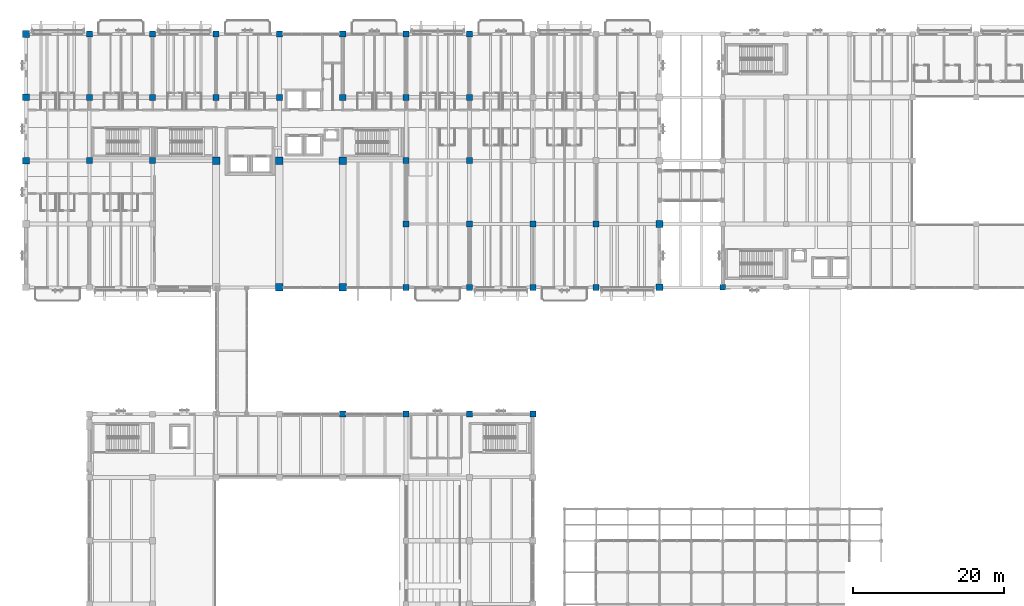
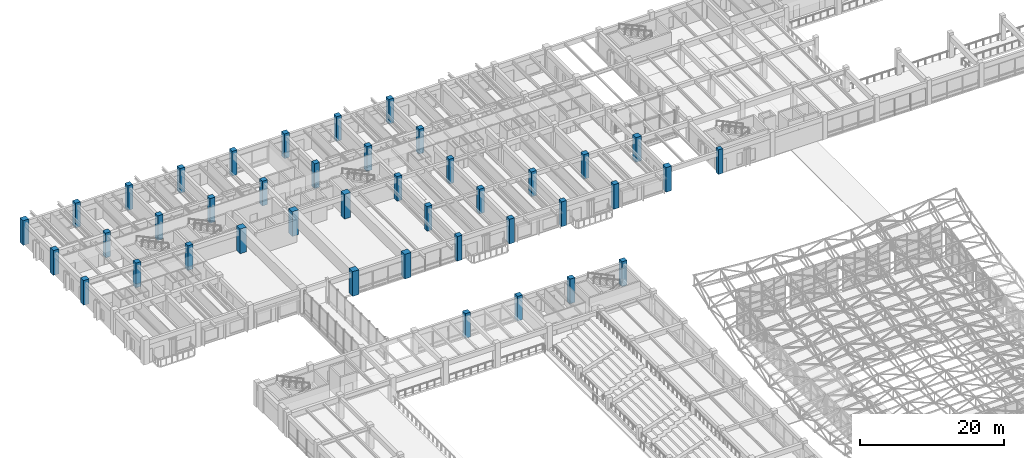
# One storey, part 3 of 132: 41 columns.
"""IFC4 building model written with IfcOpenShell, lengths in metres."""

from ifc_helpers import new_model, si_unit, direction, frame, origin, origin_2d, place, context, subcontext, project, spatial, rectangle, extrude, material, material_profile, profile_set, type_object, element, save


model = new_model("IFC4")

# Units and contexts
model_context = context("Model", 3, precision=1e-05, world=origin(), true_north=direction((0.0, 1.0)))
body_context = subcontext(model_context, "Body", "Model", "MODEL_VIEW")
ifc_project = project(units=[si_unit("LENGTHUNIT", "METRE"), si_unit("AREAUNIT", "SQUARE_METRE"), si_unit("VOLUMEUNIT", "CUBIC_METRE"), si_unit("PLANEANGLEUNIT", "RADIAN"), si_unit("MASSUNIT", "GRAM", prefix="KILO")], contexts=[model_context])

# Site, building, storey
site_placement = place(None, origin())
site = spatial("IfcSite", under=ifc_project, at=site_placement, CompositionType="ELEMENT")
building_placement = place(site_placement, origin())
building = spatial("IfcBuilding", under=site, at=building_placement, Name="Cumbredor Promenade Congress Hotel", CompositionType="ELEMENT")
storey_placement = place(building_placement, frame((0.0, 0.0, 7.56005859375)))
storey = spatial("IfcBuildingStorey", under=building, at=storey_placement, Name="L02", CompositionType="ELEMENT", Elevation=7.56005859375)

# Columns
ifc_material_1 = material(Name="Concrete C50/60", Category="concrete")
ifc_material_profile_1 = material_profile(ifc_material_1, rectangle(XDim=1.0, YDim=1.0, at=origin_2d()), Name="RC 1000x1000")
ifc_profile_set_1 = profile_set([ifc_material_profile_1], Name="Concrete C50/60")
column_type_1 = type_object("IfcColumnType", Name="COL-RC-1000", PredefinedType="COLUMN", material=ifc_profile_set_1)
for number, where, z_axis, x_axis, name in (
    (1, (25.199951171875, 100.800048828125, 0.0), (0.0, 0.0, 1.0), (1.0, 0.0, 0.0), "L02 Structural Column 037"),
    (2, (33.60009765625, 84.0, 0.0), (0.0, 0.0, 1.0), (1.0, 0.0, 0.0), "L02 Structural Column 044"),
    (3, (33.60009765625, 100.800048828125, 0.0), (0.0, 0.0, 1.0), (1.0, 0.0, 0.0), "L02 Structural Column 045"),
    (4, (42.0, 84.0, 0.0), (0.0, 0.0, 1.0), (1.0, 0.0, 0.0), "L02 Structural Column 052"),
    (5, (42.0, 100.800048828125, 0.0), (0.0, 0.0, 1.0), (1.0, 0.0, 0.0), "L02 Structural Column 053"),
):
    element("IfcColumn", number, at=place(storey_placement, frame(where, z_axis=z_axis, x_axis=x_axis)), inside=storey, type_object=column_type_1, Name=name, PredefinedType="COLUMN", context=body_context, shape_type="SweptSolid", body=[
        extrude(rectangle(XDim=1.0, YDim=1.0, at=origin_2d()), origin(), (0.0, 0.0, 1.0), 4.199951171875),
    ])
ifc_material_2 = material(Name="Concrete C40/50", Category="concrete")
ifc_material_profile_2 = material_profile(ifc_material_2, rectangle(XDim=0.699951171875, YDim=0.699951171875, at=origin_2d()), Name="RC 700x700")
ifc_profile_set_2 = profile_set([ifc_material_profile_2], Name="Concrete C40/50")
column_type_2 = type_object("IfcColumnType", Name="COL-RC-700", PredefinedType="COLUMN", material=ifc_profile_set_2)
column_placement = place(storey_placement, frame((92.39990234375, 84.0, 0.0), z_axis=(0.0, 0.0, 1.0), x_axis=(1.0, 0.0, 0.0)))
element("IfcColumn", 6, at=column_placement, inside=storey, type_object=column_type_2, Name="L02 Structural Column 101", PredefinedType="COLUMN", context=body_context, shape_type="SweptSolid", body=[
    extrude(rectangle(XDim=0.699951171875, YDim=0.699951171875, at=origin_2d()), origin(), (0.0, 0.0, 1.0), 4.199951171875),
])
ifc_material_profile_3 = material_profile(ifc_material_1, rectangle(XDim=0.800048828125, YDim=0.800048828125, at=origin_2d()), Name="RC 800x800")
ifc_profile_set_3 = profile_set([ifc_material_profile_3], Name="Concrete C50/60")
column_type_3 = type_object("IfcColumnType", Name="COL-RC-800", PredefinedType="COLUMN", material=ifc_profile_set_3)
for number, where, z_axis, x_axis, name in (
    (7, (8.39990234375, 100.800048828125, 0.0), (0.0, 0.0, 1.0), (1.0, 0.0, 0.0), "L02 Structural Column 016"),
    (8, (8.39990234375, 109.199951171875, 0.0), (0.0, 0.0, 1.0), (1.0, 0.0, 0.0), "L02 Structural Column 017"),
    (9, (8.39990234375, 117.60009765625, 0.0), (0.0, 0.0, 1.0), (1.0, 0.0, 0.0), "L02 Structural Column 018"),
    (10, (16.800048828125, 100.800048828125, 0.0), (0.0, 0.0, 1.0), (1.0, 0.0, 0.0), "L02 Structural Column 029"),
    (11, (16.800048828125, 109.199951171875, 0.0), (0.0, 0.0, 1.0), (1.0, 0.0, 0.0), "L02 Structural Column 030"),
    (12, (16.800048828125, 117.60009765625, 0.0), (0.0, 0.0, 1.0), (1.0, 0.0, 0.0), "L02 Structural Column 031"),
    (13, (25.199951171875, 109.199951171875, 0.0), (0.0, 0.0, 1.0), (1.0, 0.0, 0.0), "L02 Structural Column 038"),
    (14, (25.199951171875, 117.60009765625, 0.0), (0.0, 0.0, 1.0), (1.0, 0.0, 0.0), "L02 Structural Column 039"),
    (15, (33.60009765625, 109.199951171875, 0.0), (0.0, 0.0, 1.0), (1.0, 0.0, 0.0), "L02 Structural Column 046"),
    (16, (33.60009765625, 117.60009765625, 0.0), (0.0, 0.0, 1.0), (1.0, 0.0, 0.0), "L02 Structural Column 047"),
    (17, (42.0, 67.199951171875, 0.0), (0.0, 0.0, 1.0), (1.0, 0.0, 0.0), "L02 Structural Column 051"),
    (18, (42.0, 109.199951171875, 0.0), (0.0, 0.0, 1.0), (1.0, 0.0, 0.0), "L02 Structural Column 054"),
    (19, (42.0, 117.60009765625, 0.0), (0.0, 0.0, 1.0), (1.0, 0.0, 0.0), "L02 Structural Column 055"),
    (20, (50.39990234375, 67.199951171875, 0.0), (0.0, 0.0, 1.0), (1.0, 0.0, 0.0), "L02 Structural Column 059"),
    (21, (50.39990234375, 84.0, 0.0), (0.0, 0.0, 1.0), (1.0, 0.0, 0.0), "L02 Structural Column 060"),
    (22, (50.39990234375, 92.39990234375, 0.0), (0.0, 0.0, 1.0), (1.0, 0.0, 0.0), "L02 Structural Column 061"),
    (23, (50.39990234375, 100.800048828125, 0.0), (0.0, 0.0, 1.0), (1.0, 0.0, 0.0), "L02 Structural Column 062"),
    (24, (50.39990234375, 109.199951171875, 0.0), (0.0, 0.0, 1.0), (1.0, 0.0, 0.0), "L02 Structural Column 063"),
    (25, (50.39990234375, 117.60009765625, 0.0), (0.0, 0.0, 1.0), (1.0, 0.0, 0.0), "L02 Structural Column 064"),
    (26, (58.800048828125, 67.199951171875, 0.0), (0.0, 0.0, 1.0), (1.0, 0.0, 0.0), "L02 Structural Column 072"),
    (27, (58.800048828125, 84.0, 0.0), (0.0, 0.0, 1.0), (1.0, 0.0, 0.0), "L02 Structural Column 073"),
    (28, (58.800048828125, 92.39990234375, 0.0), (0.0, 0.0, 1.0), (1.0, 0.0, 0.0), "L02 Structural Column 074"),
    (29, (58.800048828125, 100.800048828125, 0.0), (0.0, 0.0, 1.0), (1.0, 0.0, 0.0), "L02 Structural Column 075"),
    (30, (58.800048828125, 109.199951171875, 0.0), (0.0, 0.0, 1.0), (1.0, 0.0, 0.0), "L02 Structural Column 076"),
    (31, (58.800048828125, 117.60009765625, 0.0), (0.0, 0.0, 1.0), (1.0, 0.0, 0.0), "L02 Structural Column 077"),
    (32, (67.199951171875, 67.199951171875, 0.0), (0.0, 0.0, 1.0), (1.0, 0.0, 0.0), "L02 Structural Column 085"),
    (33, (67.199951171875, 84.0, 0.0), (0.0, 0.0, 1.0), (1.0, 0.0, 0.0), "L02 Structural Column 086"),
    (34, (67.199951171875, 92.39990234375, 0.0), (0.0, 0.0, 1.0), (1.0, 0.0, 0.0), "L02 Structural Column 087"),
    (35, (75.60009765625, 84.0, 0.0), (0.0, 0.0, 1.0), (1.0, 0.0, 0.0), "L02 Structural Column 091"),
    (36, (75.60009765625, 92.39990234375, 0.0), (0.0, 0.0, 1.0), (1.0, 0.0, 0.0), "L02 Structural Column 092"),
):
    element("IfcColumn", number, at=place(storey_placement, frame(where, z_axis=z_axis, x_axis=x_axis)), inside=storey, type_object=column_type_3, Name=name, PredefinedType="COLUMN", context=body_context, shape_type="SweptSolid", body=[
        extrude(rectangle(XDim=0.800048828125, YDim=0.800048828125, at=origin_2d()), origin(), (0.0, 0.0, 1.0), 4.199951171875),
    ])
ifc_material_profile_4 = material_profile(ifc_material_1, rectangle(XDim=0.89990234375, YDim=0.89990234375, at=origin_2d()), Name="RC 900x900")
ifc_profile_set_4 = profile_set([ifc_material_profile_4], Name="Concrete C50/60")
column_type_4 = type_object("IfcColumnType", Name="COL-RC-900", PredefinedType="COLUMN", material=ifc_profile_set_4)
for number, where, z_axis, x_axis, name in (
    (37, (0.0, 100.800048828125, 0.0), (0.0, 0.0, 1.0), (1.0, 0.0, 0.0), "L02 Structural Column 003"),
    (38, (0.0, 109.199951171875, 0.0), (0.0, 0.0, 1.0), (1.0, 0.0, 0.0), "L02 Structural Column 004"),
    (39, (0.0, 117.60009765625, 0.0), (0.0, 0.0, 1.0), (1.0, 0.0, 0.0), "L02 Structural Column 005"),
    (40, (84.0, 84.0, 0.0), (0.0, 0.0, 1.0), (1.0, 0.0, 0.0), "L02 Structural Column 096"),
    (41, (84.0, 92.39990234375, 0.0), (0.0, 0.0, 1.0), (1.0, 0.0, 0.0), "L02 Structural Column 097"),
):
    element("IfcColumn", number, at=place(storey_placement, frame(where, z_axis=z_axis, x_axis=x_axis)), inside=storey, type_object=column_type_4, Name=name, PredefinedType="COLUMN", context=body_context, shape_type="SweptSolid", body=[
        extrude(rectangle(XDim=0.89990234375, YDim=0.89990234375, at=origin_2d()), origin(), (0.0, 0.0, 1.0), 4.199951171875),
    ])

save(model, "model.ifc")
